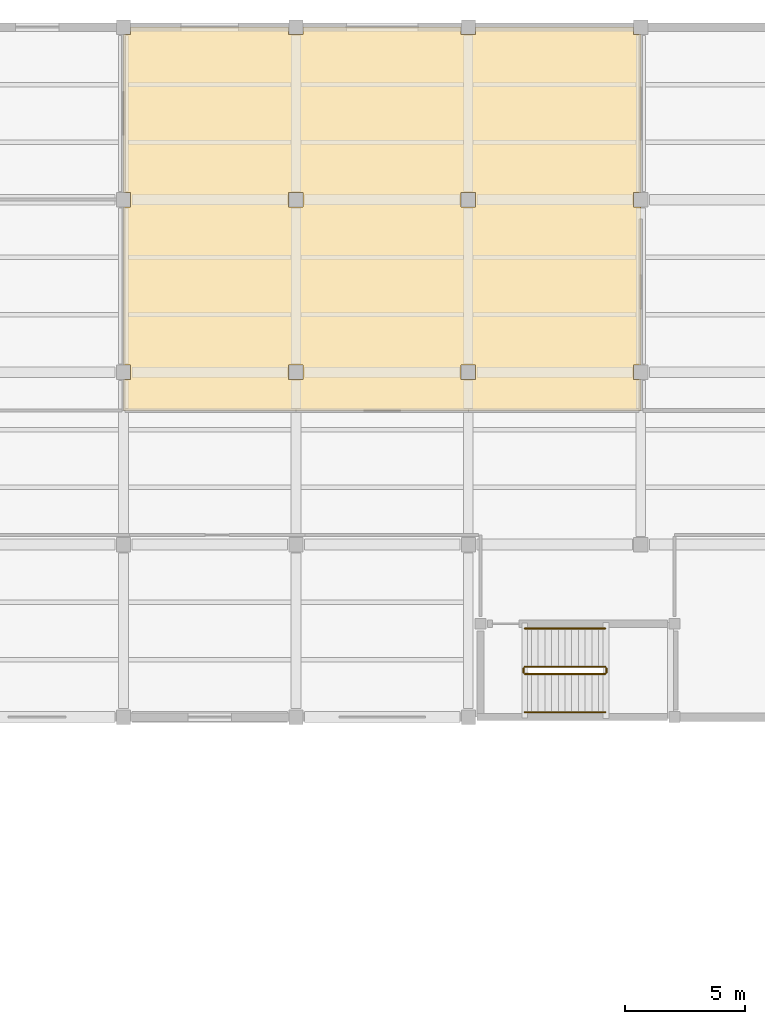
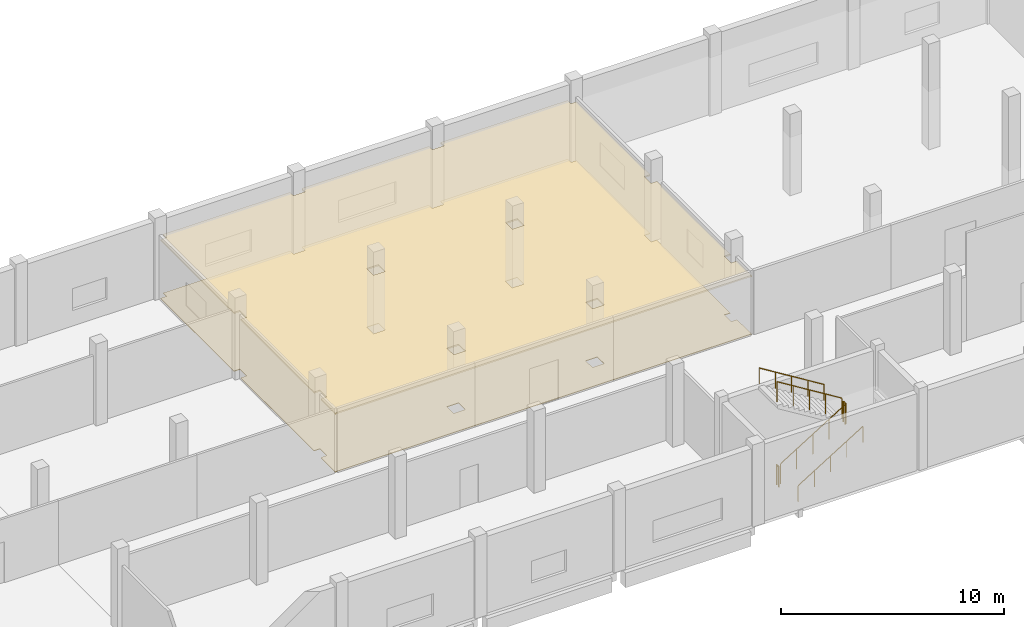
# One storey, part 104 of 105: 6 railings, 2 coverings.
"""IFC4 building model written with IfcOpenShell, lengths in metres."""

from ifc_helpers import new_model, si_unit, direction, frame, origin, origin_2d, place, context, subcontext, project, spatial, polyline, circle, outline, extrude, material, layer, layer_set, type_object, element, save


model = new_model("IFC4")

# Units and contexts
model_context = context("Model", 3, precision=1e-05, world=origin(), true_north=direction((0.0, 1.0)))
body_context = subcontext(model_context, "Body", "Model", "MODEL_VIEW")
ifc_project = project(units=[si_unit("LENGTHUNIT", "METRE"), si_unit("AREAUNIT", "SQUARE_METRE"), si_unit("VOLUMEUNIT", "CUBIC_METRE"), si_unit("PLANEANGLEUNIT", "RADIAN"), si_unit("MASSUNIT", "GRAM", prefix="KILO"), si_unit("THERMODYNAMICTEMPERATUREUNIT", "KELVIN"), si_unit("POWERUNIT", "WATT")], contexts=[model_context])

# Site, building, storey
site_placement = place(None, origin())
site = spatial("IfcSite", under=ifc_project, at=site_placement, CompositionType="ELEMENT")
building_placement = place(site_placement, origin())
building = spatial("IfcBuilding", under=site, at=building_placement, Name="Kaldorven Railside Theatre", CompositionType="ELEMENT")
storey_placement = place(building_placement, frame((0.0, 0.0, 9.89990234375)))
storey = spatial("IfcBuildingStorey", under=building, at=storey_placement, Name="L02", CompositionType="ELEMENT", Elevation=9.89990234375)

# Coverings
ifc_material_1 = material(Name="Acoustic hardwood timber", Category="wood")
ifc_layer_1 = layer(ifc_material_1, 0.080078125, Name="Acoustic hardwood timber")
ifc_layer_set_1 = layer_set([ifc_layer_1], Name="Acoustic hardwood timber")
covering_type_1 = type_object("IfcCoveringType", Name="COV-CLG-02", PredefinedType="CEILING", material=ifc_layer_set_1)
covering_1_placement = place(storey_placement, frame((0.0, 0.0, 3.170166015625)))
element("IfcCovering", 1, at=covering_1_placement, inside=storey, type_object=covering_type_1, Name="Dance Rehearsal Room Acoustic Ceiling 018", PredefinedType="CEILING", context=body_context, shape_type="SweptSolid", body=[
    extrude(outline(polyline([(159.199951171875, 125.60009765625), (137.60009765625, 125.60009765625), (137.60009765625, 126.89794921875), (137.902099609375, 126.89794921875), (137.902099609375, 127.501953125), (137.60009765625, 127.501953125), (137.60009765625, 134.097900390625), (137.902099609375, 134.097900390625), (137.902099609375, 134.701904296875), (137.60009765625, 134.701904296875), (137.60009765625, 141.298095703125), (137.902099609375, 141.298095703125), (137.902099609375, 141.60009765625), (144.498046875, 141.60009765625), (144.498046875, 141.298095703125), (145.10205078125, 141.298095703125), (145.10205078125, 141.60009765625), (151.697998046875, 141.60009765625), (151.697998046875, 141.298095703125), (152.302001953125, 141.298095703125), (152.302001953125, 141.60009765625), (158.89794921875, 141.60009765625), (158.89794921875, 141.298095703125), (159.199951171875, 141.298095703125), (159.199951171875, 134.701904296875), (158.89794921875, 134.701904296875), (158.89794921875, 134.097900390625), (159.199951171875, 134.097900390625), (159.199951171875, 127.501953125), (158.89794921875, 127.501953125), (158.89794921875, 126.89794921875), (159.199951171875, 126.89794921875), (159.199951171875, 125.60009765625)]), holes=[polyline([(151.697998046875, 127.501953125), (151.697998046875, 126.89794921875), (152.302001953125, 126.89794921875), (152.302001953125, 127.501953125), (151.697998046875, 127.501953125)]), polyline([(145.10205078125, 127.501953125), (144.498046875, 127.501953125), (144.498046875, 126.89794921875), (145.10205078125, 126.89794921875), (145.10205078125, 127.501953125)]), polyline([(151.697998046875, 134.701904296875), (151.697998046875, 134.097900390625), (152.302001953125, 134.097900390625), (152.302001953125, 134.701904296875), (151.697998046875, 134.701904296875)]), polyline([(145.10205078125, 134.701904296875), (144.498046875, 134.701904296875), (144.498046875, 134.097900390625), (145.10205078125, 134.097900390625), (145.10205078125, 134.701904296875)])]), origin(), (0.0, 0.0, 1.0), 0.079833984375),
])
ifc_layer_2 = layer(ifc_material_1, 0.030029296875, Name="Acoustic hardwood timber")
ifc_layer_set_2 = layer_set([ifc_layer_2], Name="Acoustic hardwood timber")
covering_type_2 = type_object("IfcCoveringType", Name="COV-FLR-01", PredefinedType="FLOORING", material=ifc_layer_set_2)
covering_2_placement = place(storey_placement, origin())
element("IfcCovering", 2, at=covering_2_placement, inside=storey, type_object=covering_type_2, Name="Dance Rehearsal Room Finish Flooring FLR-007", PredefinedType="FLOORING", context=body_context, shape_type="SweptSolid", body=[
    extrude(outline(polyline([(159.199951171875, 125.60009765625), (137.60009765625, 125.60009765625), (137.60009765625, 126.89794921875), (137.902099609375, 126.89794921875), (137.902099609375, 127.501953125), (137.60009765625, 127.501953125), (137.60009765625, 134.097900390625), (137.902099609375, 134.097900390625), (137.902099609375, 134.701904296875), (137.60009765625, 134.701904296875), (137.60009765625, 141.298095703125), (137.902099609375, 141.298095703125), (137.902099609375, 141.60009765625), (144.498046875, 141.60009765625), (144.498046875, 141.298095703125), (145.10205078125, 141.298095703125), (145.10205078125, 141.60009765625), (151.697998046875, 141.60009765625), (151.697998046875, 141.298095703125), (152.302001953125, 141.298095703125), (152.302001953125, 141.60009765625), (158.89794921875, 141.60009765625), (158.89794921875, 141.298095703125), (159.199951171875, 141.298095703125), (159.199951171875, 134.701904296875), (158.89794921875, 134.701904296875), (158.89794921875, 134.097900390625), (159.199951171875, 134.097900390625), (159.199951171875, 127.501953125), (158.89794921875, 127.501953125), (158.89794921875, 126.89794921875), (159.199951171875, 126.89794921875), (159.199951171875, 125.60009765625)]), holes=[polyline([(151.697998046875, 127.501953125), (151.697998046875, 126.89794921875), (152.302001953125, 126.89794921875), (152.302001953125, 127.501953125), (151.697998046875, 127.501953125)]), polyline([(145.10205078125, 127.501953125), (144.498046875, 127.501953125), (144.498046875, 126.89794921875), (145.10205078125, 126.89794921875), (145.10205078125, 127.501953125)]), polyline([(151.697998046875, 134.701904296875), (151.697998046875, 134.097900390625), (152.302001953125, 134.097900390625), (152.302001953125, 134.701904296875), (151.697998046875, 134.701904296875)]), polyline([(145.10205078125, 134.701904296875), (144.498046875, 134.701904296875), (144.498046875, 134.097900390625), (145.10205078125, 134.097900390625), (145.10205078125, 134.701904296875)])]), origin(), (0.0, 0.0, 1.0), 0.030029296875),
])

# Railings
ifc_material_2 = material(Name="Steel S355", Category="steel")
railing_type_1 = type_object("IfcRailingType", Name="RLG-STG-1100", PredefinedType="BALUSTRADE", material=ifc_material_2)
railing_1_placement = place(storey_placement, frame((154.35009765625, 114.60009765625, 0.173095703125)))
element("IfcRailing", 3, at=railing_1_placement, inside=storey, type_object=railing_type_1, Name="L02 ST-08 stair guard 1", PredefinedType="BALUSTRADE", context=body_context, shape_type="SweptSolid", body=[
    extrude(circle(Radius=0.02392578125, at=origin_2d()), frame((0.0, 0.0, 1.09619140625), z_axis=(0.850606129759, 0.0, 0.525803396734), x_axis=(0.0, 1.0, 0.0)), (0.0, 0.0, 1.0), 3.949951171875),
    extrude(circle(Radius=0.02099609375, at=origin_2d()), origin(), (0.0, 0.0, 1.0), 1.072021484375),
    extrude(circle(Radius=0.02099609375, at=origin_2d()), frame((0.83984375, 0.0, 0.519287109375)), (0.0, 0.0, 1.0), 1.072021484375),
    extrude(circle(Radius=0.02099609375, at=origin_2d()), frame((1.679931640625, 0.0, 1.03857421875)), (0.0, 0.0, 1.0), 1.072021484375),
    extrude(circle(Radius=0.02099609375, at=origin_2d()), frame((2.52001953125, 0.0, 1.5576171875)), (0.0, 0.0, 1.0), 1.072021484375),
    extrude(circle(Radius=0.02099609375, at=origin_2d()), frame((3.35986328125, 0.0, 2.076904296875)), (0.0, 0.0, 1.0), 1.072021484375),
])
railing_2_placement = place(storey_placement, frame((157.760009765625, 114.64990234375, 2.25)))
element("IfcRailing", 4, at=railing_2_placement, inside=storey, type_object=railing_type_1, Name="L02 ST-08 stair guard 2", PredefinedType="BALUSTRADE", context=body_context, shape_type="SweptSolid", body=[
    extrude(circle(Radius=0.02392578125, at=origin_2d()), frame((0.0, 0.0, 1.09619140625), z_axis=(0.0, 1.0, 0.0), x_axis=(-1.0, 0.0, 0.0)), (0.0, 0.0, 1.0), 0.2001953125),
    extrude(circle(Radius=0.02099609375, at=origin_2d()), origin(), (0.0, 0.0, 1.0), 1.072021484375),
    extrude(circle(Radius=0.02099609375, at=origin_2d()), frame((0.0, 0.2001953125, 0.0)), (0.0, 0.0, 1.0), 1.072021484375),
])
railing_3_placement = place(storey_placement, frame((157.7099609375, 114.89990234375, 2.423095703125)))
element("IfcRailing", 5, at=railing_3_placement, inside=storey, type_object=railing_type_1, Name="L02 ST-08 stair guard 3", PredefinedType="BALUSTRADE", context=body_context, shape_type="SweptSolid", body=[
    extrude(circle(Radius=0.02392578125, at=origin_2d()), frame((0.0, 0.0, 1.09619140625), z_axis=(-0.850606129759, 0.0, 0.525803396734), x_axis=(0.0, -1.0, 0.0)), (0.0, 0.0, 1.0), 3.949951171875),
    extrude(circle(Radius=0.02099609375, at=origin_2d()), origin(), (0.0, 0.0, 1.0), 1.072021484375),
    extrude(circle(Radius=0.02099609375, at=origin_2d()), frame((-0.83984375, 0.0, 0.519287109375)), (0.0, 0.0, 1.0), 1.072021484375),
    extrude(circle(Radius=0.02099609375, at=origin_2d()), frame((-1.679931640625, 0.0, 1.03857421875)), (0.0, 0.0, 1.0), 1.072021484375),
    extrude(circle(Radius=0.02099609375, at=origin_2d()), frame((-2.52001953125, 0.0, 1.5576171875)), (0.0, 0.0, 1.0), 1.072021484375),
    extrude(circle(Radius=0.02099609375, at=origin_2d()), frame((-3.35986328125, 0.0, 2.076904296875)), (0.0, 0.0, 1.0), 1.072021484375),
])
railing_4_placement = place(storey_placement, frame((154.300048828125, 114.64990234375, 0.0)))
element("IfcRailing", 6, at=railing_4_placement, inside=storey, type_object=railing_type_1, Name="L02 ST-08 stair guard 4", PredefinedType="BALUSTRADE", context=body_context, shape_type="SweptSolid", body=[
    extrude(circle(Radius=0.02392578125, at=origin_2d()), frame((0.0, 0.0, 1.09619140625), z_axis=(0.0, 1.0, 0.0), x_axis=(-1.0, 0.0, 0.0)), (0.0, 0.0, 1.0), 0.2001953125),
    extrude(circle(Radius=0.02099609375, at=origin_2d()), origin(), (0.0, 0.0, 1.0), 1.072021484375),
    extrude(circle(Radius=0.02099609375, at=origin_2d()), frame((0.0, 0.2001953125, 0.0)), (0.0, 0.0, 1.0), 1.072021484375),
])
railing_type_2 = type_object("IfcRailingType", Name="RLG-STH-900", PredefinedType="HANDRAIL", material=ifc_material_2)
railing_5_placement = place(storey_placement, frame((154.35009765625, 113.0, 0.173095703125)))
element("IfcRailing", 7, at=railing_5_placement, inside=storey, type_object=railing_type_2, Name="L02 ST-08 stair handrail 1", PredefinedType="HANDRAIL", context=body_context, shape_type="SweptSolid", body=[
    extrude(circle(Radius=0.02392578125, at=origin_2d()), frame((0.0, 0.0, 0.8759765625), z_axis=(0.850606129759, 0.0, 0.525803396734), x_axis=(0.0, 1.0, 0.0)), (0.0, 0.0, 1.0), 3.949951171875),
    extrude(circle(Radius=0.02099609375, at=origin_2d()), origin(), (0.0, 0.0, 1.0), 0.851806640625),
    extrude(circle(Radius=0.02099609375, at=origin_2d()), frame((0.83984375, 0.0, 0.519287109375)), (0.0, 0.0, 1.0), 0.851806640625),
    extrude(circle(Radius=0.02099609375, at=origin_2d()), frame((1.679931640625, 0.0, 1.03857421875)), (0.0, 0.0, 1.0), 0.851806640625),
    extrude(circle(Radius=0.02099609375, at=origin_2d()), frame((2.52001953125, 0.0, 1.5576171875)), (0.0, 0.0, 1.0), 0.851806640625),
    extrude(circle(Radius=0.02099609375, at=origin_2d()), frame((3.35986328125, 0.0, 2.076904296875)), (0.0, 0.0, 1.0), 0.851806640625),
])
railing_6_placement = place(storey_placement, frame((157.7099609375, 116.5, 2.423095703125)))
element("IfcRailing", 8, at=railing_6_placement, inside=storey, type_object=railing_type_2, Name="L02 ST-08 stair handrail 2", PredefinedType="HANDRAIL", context=body_context, shape_type="SweptSolid", body=[
    extrude(circle(Radius=0.02392578125, at=origin_2d()), frame((0.0, 0.0, 0.8759765625), z_axis=(-0.850606129759, 0.0, 0.525803396734), x_axis=(0.0, -1.0, 0.0)), (0.0, 0.0, 1.0), 3.949951171875),
    extrude(circle(Radius=0.02099609375, at=origin_2d()), origin(), (0.0, 0.0, 1.0), 0.851806640625),
    extrude(circle(Radius=0.02099609375, at=origin_2d()), frame((-0.83984375, 0.0, 0.519287109375)), (0.0, 0.0, 1.0), 0.851806640625),
    extrude(circle(Radius=0.02099609375, at=origin_2d()), frame((-1.679931640625, 0.0, 1.03857421875)), (0.0, 0.0, 1.0), 0.851806640625),
    extrude(circle(Radius=0.02099609375, at=origin_2d()), frame((-2.52001953125, 0.0, 1.5576171875)), (0.0, 0.0, 1.0), 0.851806640625),
    extrude(circle(Radius=0.02099609375, at=origin_2d()), frame((-3.35986328125, 0.0, 2.076904296875)), (0.0, 0.0, 1.0), 0.851806640625),
])

save(model, "model.ifc")
